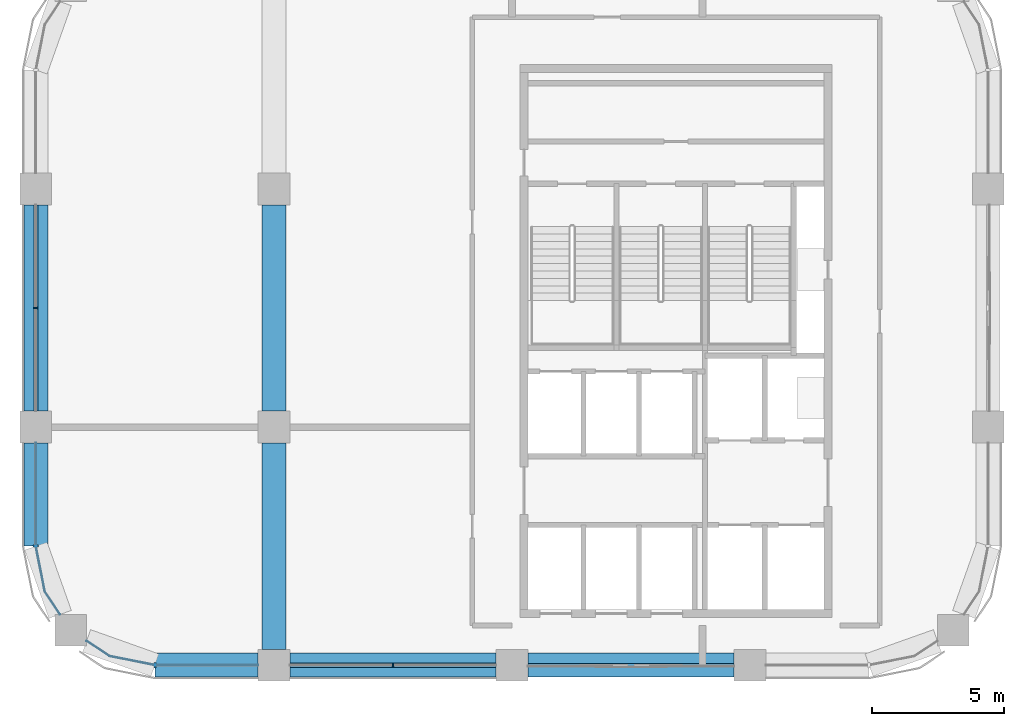
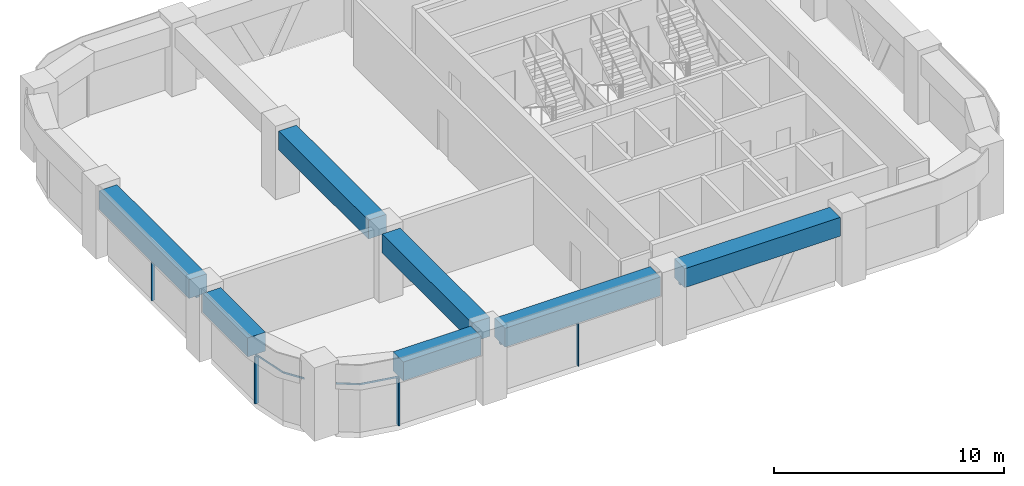
# One storey, part 2 of 9: 9 members, 7 beams, 5 elements without a shape of their own.
"""IFC4 building model written with IfcOpenShell, lengths in metres."""

from ifc_helpers import new_model, si_unit, direction, frame, origin, origin_2d, place, context, subcontext, project, spatial, polyline, rectangle, outline, extrude, material, material_profile, profile_set, type_object, element, aggregate, save


model = new_model("IFC4")

# Units and contexts
model_context = context("Model", 3, precision=1e-05, world=origin(), true_north=direction((0.0, 1.0)))
body_context = subcontext(model_context, "Body", "Model", "MODEL_VIEW")
ifc_project = project(units=[si_unit("LENGTHUNIT", "METRE"), si_unit("AREAUNIT", "SQUARE_METRE"), si_unit("VOLUMEUNIT", "CUBIC_METRE"), si_unit("PLANEANGLEUNIT", "RADIAN"), si_unit("MASSUNIT", "GRAM", prefix="KILO")], contexts=[model_context])

# Site, building, storey
site_placement = place(None, origin())
site = spatial("IfcSite", under=ifc_project, at=site_placement, CompositionType="ELEMENT")
building_placement = place(site_placement, origin())
building = spatial("IfcBuilding", under=site, at=building_placement, Name="Tessera Arch", CompositionType="ELEMENT")
storey_placement = place(building_placement, frame((0.0, 0.0, 309.0)))
storey = spatial("IfcBuildingStorey", under=building, at=storey_placement, Name="L74", CompositionType="ELEMENT", Elevation=309.0)

# Curtain wall, member
ifc_material_1 = material(Name="CW1 curtain wall")
curtain_wall_type_1 = type_object("IfcCurtainWallType", Name="CW1 curtain wall", PredefinedType="NOTDEFINED", material=ifc_material_1)
curtain_wall_1_placement = place(storey_placement, origin())
curtain_wall_1 = element("IfcCurtainWall", 1, at=curtain_wall_1_placement, inside=storey, type_object=curtain_wall_type_1, Name="CW1 curtain wall W18.27/1 L74", PredefinedType="NOTDEFINED")
ifc_material_2 = material(Name="Anodised aluminium pale metal", Category="aluminium")
ifc_material_profile_1 = material_profile(ifc_material_2, rectangle(XDim=0.159912109375, YDim=0.06005859375, at=origin_2d()), Name="AL 60x160")
ifc_profile_set_1 = profile_set([ifc_material_profile_1], Name="Anodised aluminium pale metal")
member_type_1 = type_object("IfcMemberType", Name="CW1 mullion", PredefinedType="MULLION", material=ifc_profile_set_1)
member_1_placement = place(storey_placement, frame((18.0, 40.5, 0.0), z_axis=(0.0, 0.0, 1.0), x_axis=(1.0, 0.0, 0.0)))
member_1 = element("IfcMember", 2, at=member_1_placement, type_object=member_type_1, Name="CW1 mullion W18.27/1 1", PredefinedType="MULLION", context=body_context, shape_type="SweptSolid", body=[
    extrude(rectangle(XDim=0.159912109375, YDim=0.06005859375, at=origin_2d()), origin(), (0.0, 0.0, 1.0), 2.5),
])

curtain_wall_2_placement = place(storey_placement, origin())
curtain_wall_2 = element("IfcCurtainWall", 3, at=curtain_wall_2_placement, inside=storey, type_object=curtain_wall_type_1, Name="CW1 curtain wall S27.18/1 L74", PredefinedType="NOTDEFINED")
member_2_placement = place(storey_placement, frame((31.5, 27.0, 0.0), z_axis=(0.0, 0.0, 1.0), x_axis=(0.0, 1.0, 0.0)))
member_2 = element("IfcMember", 4, at=member_2_placement, type_object=member_type_1, Name="CW1 mullion S27.18/1 1", PredefinedType="MULLION", context=body_context, shape_type="SweptSolid", body=[
    extrude(rectangle(XDim=0.159912109375, YDim=0.06005859375, at=origin_2d()), origin(), (0.0, 0.0, 1.0), 2.5),
])

# Member
ifc_material_3 = material(Name="Anodised aluminium pale metal", Category="aluminium")
ifc_material_profile_2 = material_profile(ifc_material_3, rectangle(XDim=0.159912109375, YDim=0.10009765625, at=origin_2d()), Name="AL 160x100")
ifc_profile_set_2 = profile_set([ifc_material_profile_2], Name="Anodised aluminium pale metal")
member_type_2 = type_object("IfcMemberType", Name="CW1 transom", PredefinedType="USERDEFINED", material=ifc_profile_set_2)
member_3_placement = place(storey_placement, frame((18.0, 44.39990234375, 2.550048828125), z_axis=(0.0, -1.0, 0.0), x_axis=(1.0, 0.0, 0.0)))
member_3 = element("IfcMember", 5, at=member_3_placement, type_object=member_type_2, Name="CW1 transom W18.27/1 1.1", ObjectType="TRANSOM", PredefinedType="USERDEFINED", context=body_context, shape_type="SweptSolid", body=[
    extrude(rectangle(XDim=0.159912109375, YDim=0.10009765625, at=origin_2d()), origin(), (0.0, 0.0, 1.0), 7.7998046875),
])

aggregate(curtain_wall_1, [member_1, member_3])

member_4_placement = place(storey_placement, frame((27.60009765625, 27.0, 2.550048828125), z_axis=(1.0, 0.0, 0.0), x_axis=(0.0, 1.0, 0.0)))
member_4 = element("IfcMember", 6, at=member_4_placement, type_object=member_type_2, Name="CW1 transom S27.18/1 1.1", ObjectType="TRANSOM", PredefinedType="USERDEFINED", context=body_context, shape_type="SweptSolid", body=[
    extrude(rectangle(XDim=0.159912109375, YDim=0.10009765625, at=origin_2d()), origin(), (0.0, 0.0, 1.0), 7.7998046875),
])

aggregate(curtain_wall_2, [member_2, member_4])

# Curtain wall, member
ifc_material_4 = material(Name="CW2 curtain wall")
curtain_wall_type_2 = type_object("IfcCurtainWallType", Name="CW2 curtain wall", PredefinedType="NOTDEFINED", material=ifc_material_4)
curtain_wall_3_placement = place(storey_placement, origin())
curtain_wall_3 = element("IfcCurtainWall", 7, at=curtain_wall_3_placement, inside=storey, type_object=curtain_wall_type_2, Name="CW2 curtain wall W18.27/2 L74", PredefinedType="NOTDEFINED")
ifc_material_5 = material(Name="Anodised aluminium pale metal", Category="aluminium")
ifc_material_profile_3 = material_profile(ifc_material_5, rectangle(XDim=0.199951171875, YDim=0.080078125, at=origin_2d()), Name="AL 80x200")
ifc_profile_set_3 = profile_set([ifc_material_profile_3], Name="Anodised aluminium pale metal")
member_type_3 = type_object("IfcMemberType", Name="CW2 mullion", PredefinedType="MULLION", material=ifc_profile_set_3)
member_5_placement = place(storey_placement, frame((18.0, 31.5, 0.0), z_axis=(0.0, 0.0, 1.0), x_axis=(1.0, 0.0, 0.0)))
member_5 = element("IfcMember", 8, at=member_5_placement, type_object=member_type_3, Name="CW2 mullion W18.27/2 1", PredefinedType="MULLION", context=body_context, shape_type="SweptSolid", body=[
    extrude(rectangle(XDim=0.199951171875, YDim=0.080078125, at=origin_2d()), origin(), (0.0, 0.0, 1.0), 2.5),
])

curtain_wall_4_placement = place(storey_placement, origin())
curtain_wall_4 = element("IfcCurtainWall", 9, at=curtain_wall_4_placement, inside=storey, type_object=curtain_wall_type_2, Name="CW2 curtain wall S27.18/0 L74", PredefinedType="NOTDEFINED")
member_6_placement = place(storey_placement, frame((22.5, 27.0, 0.0), z_axis=(0.0, 0.0, 1.0), x_axis=(0.0, 1.0, 0.0)))
member_6 = element("IfcMember", 10, at=member_6_placement, type_object=member_type_3, Name="CW2 mullion S27.18/0 1", PredefinedType="MULLION", context=body_context, shape_type="SweptSolid", body=[
    extrude(rectangle(XDim=0.199951171875, YDim=0.080078125, at=origin_2d()), origin(), (0.0, 0.0, 1.0), 2.5),
])

# Member
ifc_material_6 = material(Name="Anodised aluminium pale metal", Category="aluminium")
ifc_material_profile_4 = material_profile(ifc_material_6, rectangle(XDim=0.199951171875, YDim=0.10009765625, at=origin_2d()), Name="AL 200x100")
ifc_profile_set_4 = profile_set([ifc_material_profile_4], Name="Anodised aluminium pale metal")
member_type_4 = type_object("IfcMemberType", Name="CW2 transom", PredefinedType="USERDEFINED", material=ifc_profile_set_4)
member_7_placement = place(storey_placement, frame((0.0, 0.0, 2.5)))
member_7 = element("IfcMember", 11, at=member_7_placement, type_object=member_type_4, Name="CW2 transom W18.27/2 1", ObjectType="TRANSOM", PredefinedType="USERDEFINED", context=body_context, shape_type="SweptSolid", body=[
    extrude(outline(polyline([(18.010009765625, 31.5009765625), (18.010009765625, 35.39990234375), (17.989990234375, 35.39990234375), (17.989990234375, 31.4990234375), (18.3330078125, 29.77392578125), (18.90869140625, 28.912353515625), (18.92529296875, 28.923583984375), (18.351806640625, 29.78173828125), (18.010009765625, 31.5009765625)])), origin(), (0.0, 0.0, 1.0), 0.10009765625),
])

aggregate(curtain_wall_3, [member_5, member_7])

member_8_placement = place(storey_placement, frame((0.0, 0.0, 2.5)))
member_8 = element("IfcMember", 12, at=member_8_placement, type_object=member_type_4, Name="CW2 transom S27.18/0 1", ObjectType="TRANSOM", PredefinedType="USERDEFINED", context=body_context, shape_type="SweptSolid", body=[
    extrude(outline(polyline([(20.78173828125, 27.351806640625), (19.923583984375, 27.92529296875), (19.912353515625, 27.90869140625), (20.77392578125, 27.3330078125), (22.4990234375, 26.989990234375), (26.39990234375, 26.989990234375), (26.39990234375, 27.010009765625), (22.5009765625, 27.010009765625), (20.78173828125, 27.351806640625)])), origin(), (0.0, 0.0, 1.0), 0.10009765625),
])

aggregate(curtain_wall_4, [member_6, member_8])

# Curtain wall, member
ifc_material_7 = material(Name="CW3 curtain wall")
curtain_wall_type_3 = type_object("IfcCurtainWallType", Name="CW3 curtain wall", PredefinedType="NOTDEFINED", material=ifc_material_7)
curtain_wall_5_placement = place(storey_placement, origin())
curtain_wall_5 = element("IfcCurtainWall", 13, at=curtain_wall_5_placement, inside=storey, type_object=curtain_wall_type_3, Name="CW3 curtain wall S27.18/2 L74", PredefinedType="NOTDEFINED")
ifc_material_8 = material(Name="Anodised aluminium pale metal", Category="aluminium")
ifc_material_profile_5 = material_profile(ifc_material_8, rectangle(XDim=0.139892578125, YDim=0.10009765625, at=origin_2d()), Name="AL 140x100")
ifc_profile_set_5 = profile_set([ifc_material_profile_5], Name="Anodised aluminium pale metal")
member_type_5 = type_object("IfcMemberType", Name="CW3 transom", PredefinedType="USERDEFINED", material=ifc_profile_set_5)
member_9_placement = place(storey_placement, frame((36.60009765625, 27.0, 2.550048828125), z_axis=(1.0, 0.0, 0.0), x_axis=(0.0, 1.0, 0.0)))
member_9 = element("IfcMember", 14, at=member_9_placement, type_object=member_type_5, Name="CW3 transom S27.18/2 1.1", ObjectType="TRANSOM", PredefinedType="USERDEFINED", context=body_context, shape_type="SweptSolid", body=[
    extrude(rectangle(XDim=0.139892578125, YDim=0.10009765625, at=origin_2d()), origin(), (0.0, 0.0, 1.0), 7.7998046875),
])
aggregate(curtain_wall_5, [member_9])

# Beams
ifc_material_9 = material(Name="Concrete C60/75", Category="concrete")
ifc_material_profile_6 = material_profile(ifc_material_9, rectangle(XDim=0.89990234375, YDim=1.0, at=origin_2d()), Name="RC spandrel beam 900 x 1000 Concrete C60/75")
ifc_profile_set_6 = profile_set([ifc_material_profile_6], Name="Concrete C60/75")
beam_type = type_object("IfcBeamType", Name="RC spandrel beam 900 x 1000 Concrete C60/75", PredefinedType="BEAM", material=ifc_profile_set_6)
beam_placement = place(storey_placement, frame((18.0, 44.39990234375, 3.10009765625), z_axis=(0.0, -1.0, 0.0), x_axis=(1.0, 0.0, 0.0)))
element("IfcBeam", 15, at=beam_placement, inside=storey, type_object=beam_type, Name="Spandrel beam L74 W18.27/1", PredefinedType="BEAM", context=body_context, shape_type="SweptSolid", body=[
    extrude(rectangle(XDim=0.89990234375, YDim=1.0, at=origin_2d()), origin(), (0.0, 0.0, 1.0), 7.7998046875),
])
for number, where, z_axis, x_axis, name in (
    (16, (18.0, 35.39990234375, 3.10009765625), (0.0, -1.0, 0.0), (1.0, 0.0, 0.0), "Spandrel beam L74 W18.27/2.1"),
    (17, (22.5, 27.0, 3.10009765625), (1.0, 0.0, 0.0), (0.0, 1.0, 0.0), "Spandrel beam L74 S27.18/0.2"),
):
    element("IfcBeam", number, at=place(storey_placement, frame(where, z_axis=z_axis, x_axis=x_axis)), inside=storey, type_object=beam_type, Name=name, PredefinedType="BEAM", context=body_context, shape_type="SweptSolid", body=[
        extrude(rectangle(XDim=0.89990234375, YDim=1.0, at=origin_2d()), origin(), (0.0, 0.0, 1.0), 3.89990234375),
    ])
for number, where, z_axis, x_axis, name in (
    (18, (27.60009765625, 27.0, 3.10009765625), (1.0, 0.0, 0.0), (0.0, 1.0, 0.0), "Spandrel beam L74 S27.18/1"),
    (19, (36.60009765625, 27.0, 3.10009765625), (1.0, 0.0, 0.0), (0.0, 1.0, 0.0), "Spandrel beam L74 S27.18/2"),
    (20, (27.0, 27.60009765625, 3.10009765625), (0.0, 1.0, 0.0), (-1.0, 0.0, 0.0), "Interface beam L74 I0C4D-C4E"),
    (21, (27.0, 36.60009765625, 3.10009765625), (0.0, 1.0, 0.0), (-1.0, 0.0, 0.0), "Interface beam L74 I0C4E-C4F"),
):
    element("IfcBeam", number, at=place(storey_placement, frame(where, z_axis=z_axis, x_axis=x_axis)), inside=storey, type_object=beam_type, Name=name, PredefinedType="BEAM", context=body_context, shape_type="SweptSolid", body=[
        extrude(rectangle(XDim=0.89990234375, YDim=1.0, at=origin_2d()), origin(), (0.0, 0.0, 1.0), 7.7998046875),
    ])

save(model, "model.ifc")
